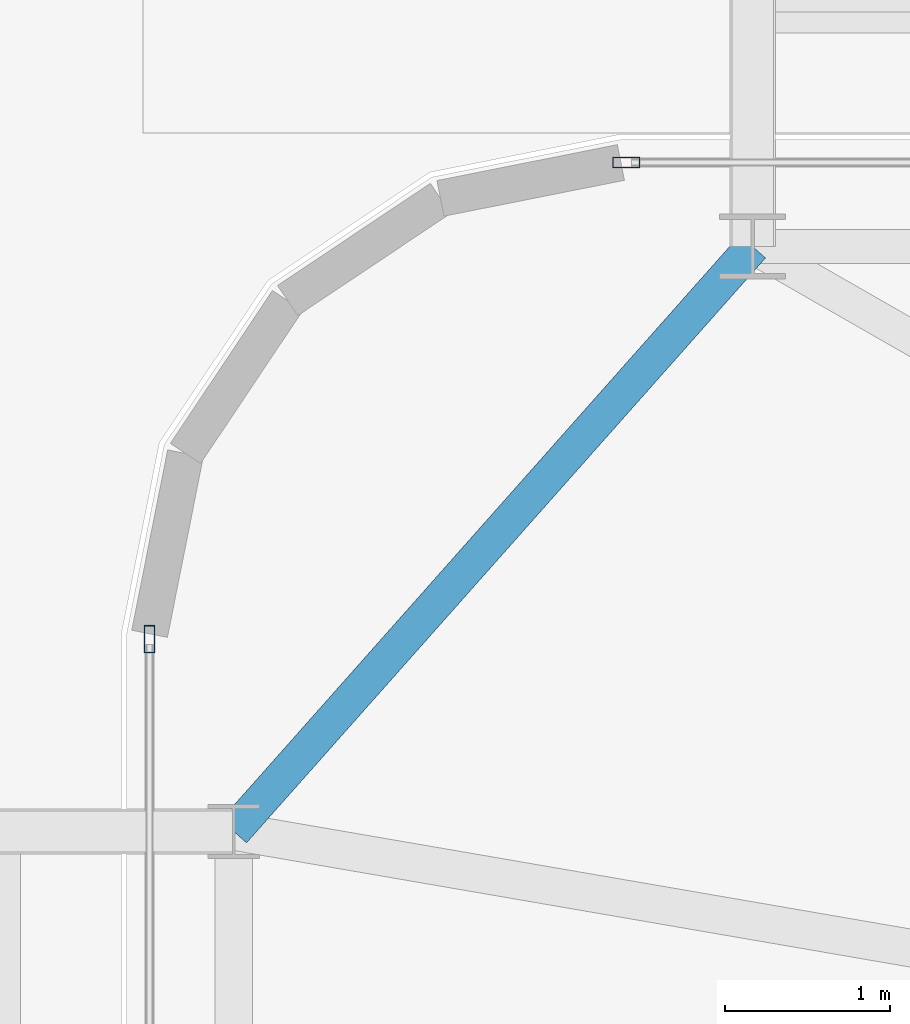
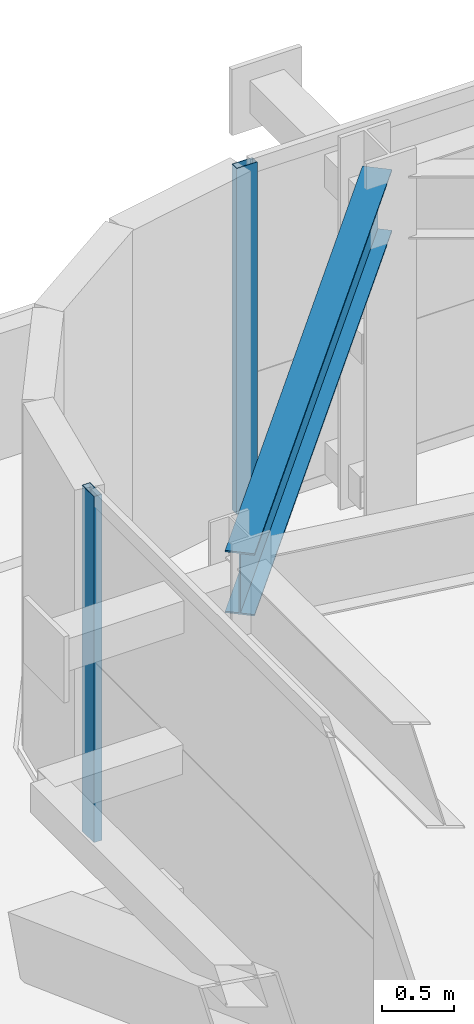
# One storey, part 25 of 56: 2 members, 1 beam, 2 elements without a shape of their own.
"""IFC4 building model written with IfcOpenShell, lengths in metres."""

from ifc_helpers import new_model, si_unit, direction, frame, origin, origin_2d, place, context, subcontext, project, spatial, hollow_rectangle, i_section, extrude, source, transform, mapped, material, layer, layer_set, material_profile, profile_set, type_object, element, aggregate, save


model = new_model("IFC4")

# Units and contexts
model_context = context("Model", 3, precision=1e-05, world=origin(), true_north=direction((0.0, 1.0)))
body_context = subcontext(model_context, "Body", "Model", "MODEL_VIEW")
ifc_project = project(units=[si_unit("LENGTHUNIT", "METRE"), si_unit("AREAUNIT", "SQUARE_METRE"), si_unit("VOLUMEUNIT", "CUBIC_METRE"), si_unit("PLANEANGLEUNIT", "RADIAN"), si_unit("MASSUNIT", "GRAM", prefix="KILO")], contexts=[model_context])

# Site, building, storey
site_placement = place(None, origin())
site = spatial("IfcSite", under=ifc_project, at=site_placement, CompositionType="ELEMENT")
building_placement = place(site_placement, origin())
building = spatial("IfcBuilding", under=site, at=building_placement, Name="Taldren Reach Tower", CompositionType="ELEMENT")
storey_placement = place(building_placement, frame((0.0, 0.0, 16.800048828125)))
storey = spatial("IfcBuildingStorey", under=building, at=storey_placement, Name="L04", CompositionType="ELEMENT", Elevation=16.800048828125)

# Beam
ifc_material_1 = material(Name="Steel Gr 350 (350PLUS)", Category="steel")
ifc_material_profile_1 = material_profile(ifc_material_1, i_section(OverallWidth=0.208984375, OverallDepth=0.528076171875, WebThickness=0.009521484375, FlangeThickness=0.01318359375, at=origin_2d()), Name="530UB82.0")
ifc_profile_set_1 = profile_set([ifc_material_profile_1], Name="Steel Gr 350 (350PLUS)")
beam_type = type_object("IfcBeamType", Name="SP-UB530B", PredefinedType="SPANDREL", material=ifc_profile_set_1)
shared_shape_1 = source(origin(), body_context, "Body", "SweptSolid", [
    extrude(i_section(OverallWidth=0.208984375, OverallDepth=0.528076171875, WebThickness=0.009521484375, FlangeThickness=0.01318359375, at=origin_2d()), origin(), (0.0, 0.0, 1.0), 4.74609375),
])
beam_placement = place(storey_placement, frame((8.800048828125, 37.85009765625, 2.666015625), z_axis=(-0.663721843779, -0.747979487747, 0.0), x_axis=(0.747979487747, -0.663721843779, 0.0)))
element("IfcBeam", 1, at=beam_placement, inside=storey, type_object=beam_type, Name="Perimeter spandrel B1 N1-W3 L04", PredefinedType="SPANDREL", context=body_context, shape_type="MappedRepresentation", body=[
    mapped(shared_shape_1, transform((0.0, 0.0, 0.0), scale=1.0)),
])

# Curtain wall, member
ifc_material_2 = material(Name="Aluminium and Low-E Glass Unitised System", Category="aluminium")
ifc_layer = layer(ifc_material_2, 0.159912109375)
ifc_layer_set = layer_set([ifc_layer], Name="Aluminium and Low-E Glass Unitised System")
curtain_wall_type = type_object("IfcCurtainWallType", Name="CW-SYS-2", PredefinedType="NOTDEFINED", material=ifc_layer_set)
curtain_wall_1_placement = place(storey_placement, origin())
curtain_wall_1 = element("IfcCurtainWall", 2, at=curtain_wall_1_placement, inside=storey, type_object=curtain_wall_type, Name="Unitised curtain wall CW-L04-N", PredefinedType="NOTDEFINED")
ifc_material_3 = material(Name="Anodised Aluminium 6063-T6", Category="aluminium")
ifc_material_profile_2 = material_profile(ifc_material_3, hollow_rectangle(XDim=0.06494140625, YDim=0.1650390625, WallThickness=0.00390625, at=origin_2d()), Name="ALU-165x65x4RHS")
ifc_profile_set_2 = profile_set([ifc_material_profile_2], Name="Anodised Aluminium 6063-T6")
member_type = type_object("IfcMemberType", Name="CW-MUL-165", PredefinedType="MULLION", material=ifc_profile_set_2)
shared_shape_2 = source(origin(), body_context, "Body", "SweptSolid", [
    extrude(hollow_rectangle(XDim=0.06494140625, YDim=0.1650390625, WallThickness=0.00390625, at=origin_2d()), origin(), (0.0, 0.0, 1.0), 2.929931640625),
])
member_1_placement = place(storey_placement, frame((8.032470703125, 38.360107421875, 0.0), z_axis=(0.0, 0.0, 1.0), x_axis=(0.0, -1.0, 0.0)))
member_1 = element("IfcMember", 3, at=member_1_placement, type_object=member_type, Name="CW-2 mullion 6", PredefinedType="MULLION", context=body_context, shape_type="MappedRepresentation", body=[
    mapped(shared_shape_2, transform((0.0, 0.0, 0.0), scale=1.0)),
])
aggregate(curtain_wall_1, [member_1])

curtain_wall_2_placement = place(storey_placement, origin())
curtain_wall_2 = element("IfcCurtainWall", 4, at=curtain_wall_2_placement, inside=storey, type_object=curtain_wall_type, Name="Unitised curtain wall CW-L04-W1", PredefinedType="NOTDEFINED")
member_2_placement = place(storey_placement, frame((5.139892578125, 35.467529296875, 0.0), z_axis=(0.0, 0.0, 1.0), x_axis=(1.0, 0.0, 0.0)))
member_2 = element("IfcMember", 5, at=member_2_placement, type_object=member_type, Name="CW-2 mullion 1", PredefinedType="MULLION", context=body_context, shape_type="MappedRepresentation", body=[
    mapped(shared_shape_2, transform((0.0, 0.0, 0.0), scale=1.0)),
])
aggregate(curtain_wall_2, [member_2])

save(model, "model.ifc")
